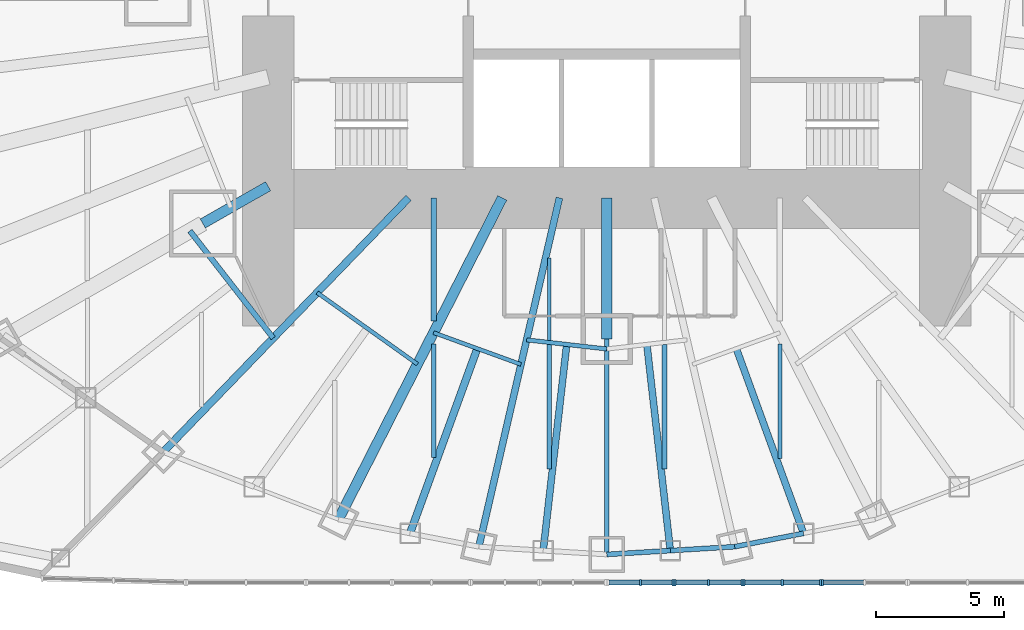
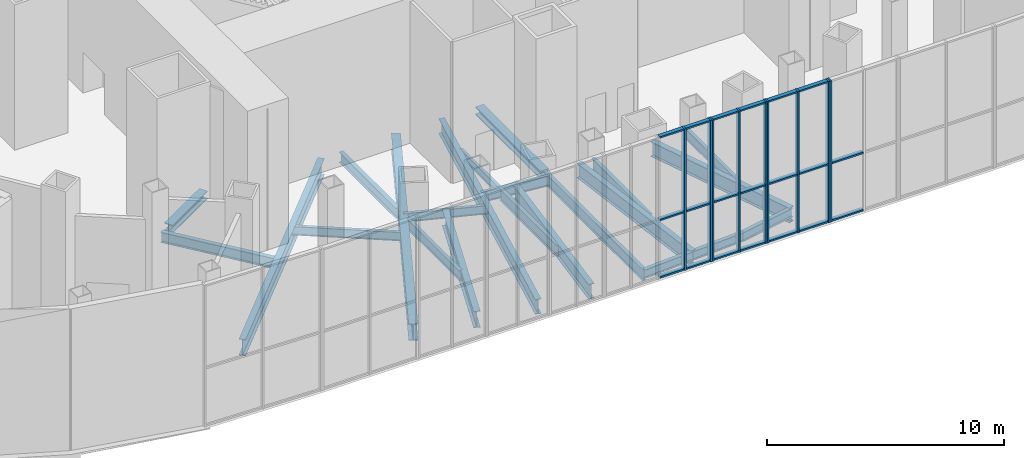
# One storey, part 4 of 73: 29 members, 23 beams, 4 elements without a shape of their own.
"""IFC4 building model written with IfcOpenShell, lengths in metres."""

from ifc_helpers import new_model, si_unit, direction, frame, origin, origin_2d, place, context, subcontext, project, spatial, rectangle, i_section, extrude, material, material_profile, profile_set, type_object, element, aggregate, save


model = new_model("IFC4")

# Units and contexts
model_context = context("Model", 3, precision=1e-05, world=origin(), true_north=direction((0.0, 1.0)))
body_context = subcontext(model_context, "Body", "Model", "MODEL_VIEW")
ifc_project = project(units=[si_unit("LENGTHUNIT", "METRE"), si_unit("AREAUNIT", "SQUARE_METRE"), si_unit("VOLUMEUNIT", "CUBIC_METRE"), si_unit("PLANEANGLEUNIT", "RADIAN"), si_unit("MASSUNIT", "GRAM", prefix="KILO")], contexts=[model_context])

# Site, building, storey
site_placement = place(None, origin())
site = spatial("IfcSite", under=ifc_project, at=site_placement, CompositionType="ELEMENT")
building_placement = place(site_placement, origin())
building = spatial("IfcBuilding", under=site, at=building_placement, Name="Lantaw Convention Tower", CompositionType="ELEMENT")
storey_placement = place(building_placement, frame((0.0, 0.0, 14.5)))
storey = spatial("IfcBuildingStorey", under=building, at=storey_placement, Name="L02", CompositionType="ELEMENT", Elevation=14.5)

# Beams
ifc_material_1 = material(Name="Steel ASTM A992", Category="steel")
ifc_material_profile_1 = material_profile(ifc_material_1, i_section(OverallWidth=0.1904296875, OverallDepth=0.457275390625, WebThickness=0.009033203125, FlangeThickness=0.014404296875, FilletRadius=0.01025390625, at=origin_2d()), Name="W18X50")
ifc_profile_set_1 = profile_set([ifc_material_profile_1], Name="Steel ASTM A992")
beam_type_1 = type_object("IfcBeamType", Name="Beam E W18X50", PredefinedType="SPANDREL", material=ifc_profile_set_1)
beam_1_placement = place(storey_placement, frame((0.0, -21.89990234375, -0.4287109375), z_axis=(0.998175328335, 0.060382231685, 0.0), x_axis=(-0.060382231685, 0.998175328335, 0.0)))
element("IfcBeam", 1, at=beam_1_placement, inside=storey, type_object=beam_type_1, Name="Edge beam 19", PredefinedType="SPANDREL", context=body_context, shape_type="SweptSolid", body=[
    extrude(i_section(OverallWidth=0.1904296875, OverallDepth=0.457275390625, WebThickness=0.009033203125, FlangeThickness=0.014404296875, FilletRadius=0.01025390625, at=origin_2d()), origin(), (0.0, 0.0, 1.0), 2.482666015625),
])
beam_2_placement = place(storey_placement, frame((2.47802734375, -21.75, -0.4287109375), z_axis=(0.998172405641, 0.060430527186, 0.0), x_axis=(-0.060430527186, 0.998172405641, 0.0)))
element("IfcBeam", 2, at=beam_2_placement, inside=storey, type_object=beam_type_1, Name="Edge beam 19", PredefinedType="SPANDREL", context=body_context, shape_type="SweptSolid", body=[
    extrude(i_section(OverallWidth=0.1904296875, OverallDepth=0.457275390625, WebThickness=0.009033203125, FlangeThickness=0.014404296875, FilletRadius=0.01025390625, at=origin_2d()), origin(), (0.0, 0.0, 1.0), 2.512939453125),
])
beam_3_placement = place(storey_placement, frame((4.986328125, -21.59814453125, -0.4287109375), z_axis=(0.981637218105, 0.190757364289, 0.0), x_axis=(-0.190757364289, 0.981637218105, 0.0)))
element("IfcBeam", 3, at=beam_3_placement, inside=storey, type_object=beam_type_1, Name="Edge beam 20", PredefinedType="SPANDREL", context=body_context, shape_type="SweptSolid", body=[
    extrude(i_section(OverallWidth=0.1904296875, OverallDepth=0.457275390625, WebThickness=0.009033203125, FlangeThickness=0.014404296875, FilletRadius=0.01025390625, at=origin_2d()), origin(), (0.0, 0.0, 1.0), 2.735107421875),
])
ifc_material_profile_2 = material_profile(ifc_material_1, i_section(OverallWidth=0.177978515625, OverallDepth=0.599365234375, WebThickness=0.010009765625, FlangeThickness=0.012939453125, FilletRadius=0.012939453125, at=origin_2d()), Name="W24X55")
ifc_profile_set_2 = profile_set([ifc_material_profile_2], Name="Steel ASTM A992")
beam_type_2 = type_object("IfcBeamType", Name="Beam G W24X55", PredefinedType="BEAM", material=ifc_profile_set_2)
beam_4_placement = place(storey_placement, frame((0.0, -13.5, -0.499755859375), z_axis=(0.0, -1.0, 0.0), x_axis=(1.0, 0.0, 0.0)))
element("IfcBeam", 4, at=beam_4_placement, inside=storey, type_object=beam_type_2, Name="Floor girder on ray 19", PredefinedType="BEAM", context=body_context, shape_type="SweptSolid", body=[
    extrude(i_section(OverallWidth=0.177978515625, OverallDepth=0.599365234375, WebThickness=0.010009765625, FlangeThickness=0.012939453125, FilletRadius=0.012939453125, at=origin_2d()), origin(), (0.0, 0.0, 1.0), 8.39990234375),
])
ifc_material_profile_3 = material_profile(ifc_material_1, i_section(OverallWidth=0.2666015625, OverallDepth=0.7568359375, WebThickness=0.013916015625, FlangeThickness=0.019287109375, FilletRadius=0.0126953125, at=origin_2d()), Name="W30X108")
ifc_profile_set_3 = profile_set([ifc_material_profile_3], Name="Steel ASTM A992")
beam_type_3 = type_object("IfcBeamType", Name="Beam G W30X108", PredefinedType="BEAM", material=ifc_profile_set_3)
beam_5_placement = place(storey_placement, frame((1.5625, -13.713134765625, -0.578369140625), z_axis=(0.113183957156, -0.993574049501, 0.0), x_axis=(0.993574049501, 0.113183957156, 0.0)))
element("IfcBeam", 5, at=beam_5_placement, inside=storey, type_object=beam_type_3, Name="Floor girder on bisector 19", PredefinedType="BEAM", context=body_context, shape_type="SweptSolid", body=[
    extrude(i_section(OverallWidth=0.2666015625, OverallDepth=0.7568359375, WebThickness=0.013916015625, FlangeThickness=0.019287109375, FilletRadius=0.0126953125, at=origin_2d()), origin(), (0.0, 0.0, 1.0), 8.0888671875),
])
ifc_material_profile_4 = material_profile(ifc_material_1, i_section(OverallWidth=0.2666015625, OverallDepth=0.76953125, WebThickness=0.015625, FlangeThickness=0.025390625, FilletRadius=0.0126953125, at=origin_2d()), Name="W30X132")
ifc_profile_set_4 = profile_set([ifc_material_profile_4], Name="Steel ASTM A992")
beam_type_4 = type_object("IfcBeamType", Name="Beam G W30X132", PredefinedType="BEAM", material=ifc_profile_set_4)
beam_6_placement = place(storey_placement, frame((-1.846923828125, -8.0, -0.584716796875), z_axis=(-0.224952773175, -0.97436966796, 0.0), x_axis=(0.97436966796, -0.224952773175, 0.0)))
element("IfcBeam", 6, at=beam_6_placement, inside=storey, type_object=beam_type_4, Name="Floor girder on ray 18", PredefinedType="BEAM", context=body_context, shape_type="SweptSolid", body=[
    extrude(i_section(OverallWidth=0.2666015625, OverallDepth=0.76953125, WebThickness=0.015625, FlangeThickness=0.025390625, FilletRadius=0.0126953125, at=origin_2d()), origin(), (0.0, 0.0, 1.0), 13.955810546875),
])
beam_7_placement = place(storey_placement, frame((-1.5625, -13.713134765625, -0.584716796875), z_axis=(-0.113183957156, -0.993574049501, 0.0), x_axis=(0.993574049501, -0.113183957156, 0.0)))
element("IfcBeam", 7, at=beam_7_placement, inside=storey, type_object=beam_type_4, Name="Floor girder on bisector 18", PredefinedType="BEAM", context=body_context, shape_type="SweptSolid", body=[
    extrude(i_section(OverallWidth=0.2666015625, OverallDepth=0.76953125, WebThickness=0.015625, FlangeThickness=0.025390625, FilletRadius=0.0126953125, at=origin_2d()), origin(), (0.0, 0.0, 1.0), 8.0888671875),
])
beam_8_placement = place(storey_placement, frame((5.04931640625, -13.873046875, -0.584716796875), z_axis=(0.342021781151, -0.939692024664, 0.0), x_axis=(0.939692024664, 0.342021781151, 0.0)))
element("IfcBeam", 8, at=beam_8_placement, inside=storey, type_object=beam_type_4, Name="Floor girder on bisector 20", PredefinedType="BEAM", context=body_context, shape_type="SweptSolid", body=[
    extrude(i_section(OverallWidth=0.2666015625, OverallDepth=0.76953125, WebThickness=0.015625, FlangeThickness=0.025390625, FilletRadius=0.0126953125, at=origin_2d()), origin(), (0.0, 0.0, 1.0), 7.665771484375),
])
ifc_material_profile_5 = material_profile(ifc_material_1, i_section(OverallWidth=0.2919921875, OverallDepth=0.845703125, WebThickness=0.015380859375, FlangeThickness=0.0244140625, FilletRadius=0.01513671875, at=origin_2d()), Name="W33X141")
ifc_profile_set_5 = profile_set([ifc_material_profile_5], Name="Steel ASTM A992")
beam_type_5 = type_object("IfcBeamType", Name="Beam G W33X141", PredefinedType="BEAM", material=ifc_profile_set_5)
beam_9_placement = place(storey_placement, frame((-7.7255859375, -8.0, -0.622802734375), z_axis=(-0.694649884291, -0.719347995239, 0.0), x_axis=(0.719347995239, -0.694649884291, 0.0)))
element("IfcBeam", 9, at=beam_9_placement, inside=storey, type_object=beam_type_5, Name="Floor girder on ray 16", PredefinedType="BEAM", context=body_context, shape_type="SweptSolid", body=[
    extrude(i_section(OverallWidth=0.2919921875, OverallDepth=0.845703125, WebThickness=0.015380859375, FlangeThickness=0.0244140625, FilletRadius=0.01513671875, at=origin_2d()), origin(), (0.0, 0.0, 1.0), 13.769775390625),
])
beam_10_placement = place(storey_placement, frame((-5.04931640625, -13.873046875, -0.622802734375), z_axis=(-0.342021781151, -0.939692024664, 0.0), x_axis=(0.939692024664, -0.342021781151, 0.0)))
element("IfcBeam", 10, at=beam_10_placement, inside=storey, type_object=beam_type_5, Name="Floor girder on bisector 17", PredefinedType="BEAM", context=body_context, shape_type="SweptSolid", body=[
    extrude(i_section(OverallWidth=0.2919921875, OverallDepth=0.845703125, WebThickness=0.015380859375, FlangeThickness=0.0244140625, FilletRadius=0.01513671875, at=origin_2d()), origin(), (0.0, 0.0, 1.0), 7.665771484375),
])
ifc_material_profile_6 = material_profile(ifc_material_1, i_section(OverallWidth=0.398681640625, OverallDepth=0.85595703125, WebThickness=0.01806640625, FlangeThickness=0.029296875, FilletRadius=0.016357421875, at=origin_2d()), Name="W33X201")
ifc_profile_set_6 = profile_set([ifc_material_profile_6], Name="Steel ASTM A992")
beam_type_6 = type_object("IfcBeamType", Name="Beam G W33X201", PredefinedType="BEAM", material=ifc_profile_set_6)
beam_11_placement = place(storey_placement, frame((-4.076171875, -8.0, -0.6279296875), z_axis=(-0.453997016122, -0.891003203896, 0.0), x_axis=(0.891003203896, -0.453997016122, 0.0)))
element("IfcBeam", 11, at=beam_11_placement, inside=storey, type_object=beam_type_6, Name="Floor girder on ray 17", PredefinedType="BEAM", context=body_context, shape_type="SweptSolid", body=[
    extrude(i_section(OverallWidth=0.398681640625, OverallDepth=0.85595703125, WebThickness=0.01806640625, FlangeThickness=0.029296875, FilletRadius=0.016357421875, at=origin_2d()), origin(), (0.0, 0.0, 1.0), 14.067138671875),
])
ifc_material_profile_7 = material_profile(ifc_material_1, i_section(OverallWidth=0.40380859375, OverallDepth=0.406494140625, WebThickness=0.027099609375, FlangeThickness=0.043701171875, FilletRadius=0.01513671875, at=origin_2d()), Name="W14X233")
ifc_profile_set_7 = profile_set([ifc_material_profile_7], Name="Steel ASTM A992")
beam_type_7 = type_object("IfcBeamType", Name="Beam GM W14X233", PredefinedType="BEAM", material=ifc_profile_set_7)
beam_12_placement = place(storey_placement, frame((-13.199951171875, -7.54296875, -0.4033203125), z_axis=(-0.868263603466, -0.496103129295, 0.0), x_axis=(0.496103129295, -0.868263603466, 0.0)))
element("IfcBeam", 12, at=beam_12_placement, inside=storey, type_object=beam_type_7, Name="Core link beam on ray 15", PredefinedType="BEAM", context=body_context, shape_type="SweptSolid", body=[
    extrude(i_section(OverallWidth=0.40380859375, OverallDepth=0.406494140625, WebThickness=0.027099609375, FlangeThickness=0.043701171875, FilletRadius=0.01513671875, at=origin_2d()), origin(), (0.0, 0.0, 1.0), 2.93701171875),
])
beam_13_placement = place(storey_placement, frame((0.0, -8.0, -0.4033203125), z_axis=(0.0, -1.0, 0.0), x_axis=(1.0, 0.0, 0.0)))
element("IfcBeam", 13, at=beam_13_placement, inside=storey, type_object=beam_type_7, Name="Core link beam on ray 19", PredefinedType="BEAM", context=body_context, shape_type="SweptSolid", body=[
    extrude(i_section(OverallWidth=0.40380859375, OverallDepth=0.406494140625, WebThickness=0.027099609375, FlangeThickness=0.043701171875, FilletRadius=0.01513671875, at=origin_2d()), origin(), (0.0, 0.0, 1.0), 5.5),
])
ifc_material_profile_8 = material_profile(ifc_material_1, i_section(OverallWidth=0.15234375, OverallDepth=0.449462890625, WebThickness=0.007568359375, FlangeThickness=0.0107421875, FilletRadius=0.01025390625, at=origin_2d()), Name="W18X35")
ifc_profile_set_8 = profile_set([ifc_material_profile_8], Name="Steel ASTM A992")
beam_type_8 = type_object("IfcBeamType", Name="Beam HC W18X35", PredefinedType="BEAM", material=ifc_profile_set_8)
beam_14_placement = place(storey_placement, frame((-11.291748046875, -11.69287109375, -0.4248046875), z_axis=(0.814110909588, -0.580709416912, 0.0), x_axis=(0.580709416912, 0.814110909588, 0.0)))
element("IfcBeam", 14, at=beam_14_placement, inside=storey, type_object=beam_type_8, Name="Collar beam on bisector 16", PredefinedType="BEAM", context=body_context, shape_type="SweptSolid", body=[
    extrude(i_section(OverallWidth=0.15234375, OverallDepth=0.449462890625, WebThickness=0.007568359375, FlangeThickness=0.0107421875, FilletRadius=0.01025390625, at=origin_2d()), origin(), (0.0, 0.0, 1.0), 4.805419921875),
])
beam_15_placement = place(storey_placement, frame((-6.752685546875, -13.253173828125, -0.4248046875), z_axis=(0.939689171859, -0.342029619025, 0.0), x_axis=(0.342029619025, 0.939689171859, 0.0)))
element("IfcBeam", 15, at=beam_15_placement, inside=storey, type_object=beam_type_8, Name="Collar beam on bisector 17", PredefinedType="BEAM", context=body_context, shape_type="SweptSolid", body=[
    extrude(i_section(OverallWidth=0.15234375, OverallDepth=0.449462890625, WebThickness=0.007568359375, FlangeThickness=0.0107421875, FilletRadius=0.01025390625, at=origin_2d()), origin(), (0.0, 0.0, 1.0), 3.62548828125),
])
ifc_material_profile_9 = material_profile(ifc_material_1, i_section(OverallWidth=0.165771484375, OverallDepth=0.5283203125, WebThickness=0.009765625, FlangeThickness=0.013671875, FilletRadius=0.012939453125, at=origin_2d()), Name="W21X50")
ifc_profile_set_9 = profile_set([ifc_material_profile_9], Name="Steel ASTM A992")
beam_type_9 = type_object("IfcBeamType", Name="Beam HC W21X50", PredefinedType="BEAM", material=ifc_profile_set_9)
beam_16_placement = place(storey_placement, frame((-3.124755859375, -13.534912109375, -0.464111328125), z_axis=(0.99356540907, -0.113259780595, 0.0), x_axis=(0.113259780595, 0.99356540907, 0.0)))
element("IfcBeam", 16, at=beam_16_placement, inside=storey, type_object=beam_type_9, Name="Collar beam on bisector 18", PredefinedType="BEAM", context=body_context, shape_type="SweptSolid", body=[
    extrude(i_section(OverallWidth=0.165771484375, OverallDepth=0.5283203125, WebThickness=0.009765625, FlangeThickness=0.013671875, FilletRadius=0.012939453125, at=origin_2d()), origin(), (0.0, 0.0, 1.0), 3.14501953125),
])
ifc_material_profile_10 = material_profile(ifc_material_1, i_section(OverallWidth=0.2099609375, OverallDepth=0.535888671875, WebThickness=0.010986328125, FlangeThickness=0.017333984375, FilletRadius=0.012939453125, at=origin_2d()), Name="W21X68")
ifc_profile_set_10 = profile_set([ifc_material_profile_10], Name="Steel ASTM A992")
beam_type_10 = type_object("IfcBeamType", Name="Beam HC W21X68", PredefinedType="BEAM", material=ifc_profile_set_10)
beam_17_placement = place(storey_placement, frame((-16.2529296875, -9.287353515625, -0.468017578125), z_axis=(0.613915067401, -0.789372085913, 0.0), x_axis=(0.789372085913, 0.613915067401, 0.0)))
element("IfcBeam", 17, at=beam_17_placement, inside=storey, type_object=beam_type_10, Name="Collar beam on bisector 15", PredefinedType="BEAM", context=body_context, shape_type="SweptSolid", body=[
    extrude(i_section(OverallWidth=0.2099609375, OverallDepth=0.535888671875, WebThickness=0.010986328125, FlangeThickness=0.017333984375, FilletRadius=0.012939453125, at=origin_2d()), origin(), (0.0, 0.0, 1.0), 5.293212890625),
])
ifc_material_profile_11 = material_profile(ifc_material_1, i_section(OverallWidth=0.140380859375, OverallDepth=0.40380859375, WebThickness=0.007080078125, FlangeThickness=0.01123046875, FilletRadius=0.01025390625, at=origin_2d()), Name="W16X31")
ifc_profile_set_11 = profile_set([ifc_material_profile_11], Name="Steel ASTM A992")
beam_type_11 = type_object("IfcBeamType", Name="Beam J W16X31", PredefinedType="JOIST", material=ifc_profile_set_11)
beam_18_placement = place(storey_placement, frame((-2.25, -13.55126953125, -0.40185546875), z_axis=(0.0, 1.0, 0.0), x_axis=(-1.0, 0.0, 0.0)))
element("IfcBeam", 18, at=beam_18_placement, inside=storey, type_object=beam_type_11, Name="Floor joist", PredefinedType="JOIST", context=body_context, shape_type="SweptSolid", body=[
    extrude(i_section(OverallWidth=0.140380859375, OverallDepth=0.40380859375, WebThickness=0.007080078125, FlangeThickness=0.01123046875, FilletRadius=0.01025390625, at=origin_2d()), origin(), (0.0, 0.0, 1.0), 3.212646484375),
])
ifc_material_profile_12 = material_profile(ifc_material_1, i_section(OverallWidth=0.1650390625, OverallDepth=0.52587890625, WebThickness=0.0087890625, FlangeThickness=0.011474609375, FilletRadius=0.0126953125, at=origin_2d()), Name="W21X44")
ifc_profile_set_12 = profile_set([ifc_material_profile_12], Name="Steel ASTM A992")
beam_type_12 = type_object("IfcBeamType", Name="Beam J W21X44", PredefinedType="JOIST", material=ifc_profile_set_12)
beam_19_placement = place(storey_placement, frame((-6.75, -18.118408203125, -0.462890625), z_axis=(0.0, 1.0, 0.0), x_axis=(-1.0, 0.0, 0.0)))
element("IfcBeam", 19, at=beam_19_placement, inside=storey, type_object=beam_type_12, Name="Floor joist", PredefinedType="JOIST", context=body_context, shape_type="SweptSolid", body=[
    extrude(i_section(OverallWidth=0.1650390625, OverallDepth=0.52587890625, WebThickness=0.0087890625, FlangeThickness=0.011474609375, FilletRadius=0.0126953125, at=origin_2d()), origin(), (0.0, 0.0, 1.0), 4.425048828125),
])
beam_20_placement = place(storey_placement, frame((6.75, -18.155517578125, -0.462890625), z_axis=(0.0, 1.0, 0.0), x_axis=(-1.0, 0.0, 0.0)))
element("IfcBeam", 20, at=beam_20_placement, inside=storey, type_object=beam_type_12, Name="Floor joist", PredefinedType="JOIST", context=body_context, shape_type="SweptSolid", body=[
    extrude(i_section(OverallWidth=0.1650390625, OverallDepth=0.52587890625, WebThickness=0.0087890625, FlangeThickness=0.011474609375, FilletRadius=0.0126953125, at=origin_2d()), origin(), (0.0, 0.0, 1.0), 4.462158203125),
])
ifc_material_profile_13 = material_profile(ifc_material_1, i_section(OverallWidth=0.2099609375, OverallDepth=0.535888671875, WebThickness=0.010986328125, FlangeThickness=0.017333984375, FilletRadius=0.012939453125, at=origin_2d()), Name="W21X68")
ifc_profile_set_13 = profile_set([ifc_material_profile_13], Name="Steel ASTM A992")
beam_type_13 = type_object("IfcBeamType", Name="Beam J W21X68", PredefinedType="JOIST", material=ifc_profile_set_13)
beam_21_placement = place(storey_placement, frame((-6.75, -12.808349609375, -0.468017578125), z_axis=(0.0, 1.0, 0.0), x_axis=(-1.0, 0.0, 0.0)))
element("IfcBeam", 21, at=beam_21_placement, inside=storey, type_object=beam_type_13, Name="Floor joist", PredefinedType="JOIST", context=body_context, shape_type="SweptSolid", body=[
    extrude(i_section(OverallWidth=0.2099609375, OverallDepth=0.535888671875, WebThickness=0.010986328125, FlangeThickness=0.017333984375, FilletRadius=0.012939453125, at=origin_2d()), origin(), (0.0, 0.0, 1.0), 4.808349609375),
])
ifc_material_profile_14 = material_profile(ifc_material_1, i_section(OverallWidth=0.177978515625, OverallDepth=0.599365234375, WebThickness=0.010009765625, FlangeThickness=0.012939453125, FilletRadius=0.012939453125, at=origin_2d()), Name="W24X55")
ifc_profile_set_14 = profile_set([ifc_material_profile_14], Name="Steel ASTM A992")
beam_type_14 = type_object("IfcBeamType", Name="Beam J W24X55", PredefinedType="JOIST", material=ifc_profile_set_14)
for number, where, z_axis, x_axis, name in (
    (22, (-2.25, -18.570068359375, -0.499755859375), (0.0, 1.0, 0.0), (-1.0, 0.0, 0.0), "Floor joist"),
    (23, (2.25, -18.570068359375, -0.499755859375), (0.0, 1.0, 0.0), (-1.0, 0.0, 0.0), "Floor joist"),
):
    element("IfcBeam", number, at=place(storey_placement, frame(where, z_axis=z_axis, x_axis=x_axis)), inside=storey, type_object=beam_type_14, Name=name, PredefinedType="JOIST", context=body_context, shape_type="SweptSolid", body=[
        extrude(i_section(OverallWidth=0.177978515625, OverallDepth=0.599365234375, WebThickness=0.010009765625, FlangeThickness=0.012939453125, FilletRadius=0.012939453125, at=origin_2d()), origin(), (0.0, 0.0, 1.0), 4.851806640625),
    ])

# Curtain wall, members
ifc_material_2 = material(Name="Aluminium framed curtain wall", Category="aluminium")
curtain_wall_type = type_object("IfcCurtainWallType", Name="Podium storefront curtain wall, pale aluminium", PredefinedType="USERDEFINED", material=ifc_material_2)
curtain_wall_1_placement = place(storey_placement, origin())
curtain_wall_1 = element("IfcCurtainWall", 24, at=curtain_wall_1_placement, inside=storey, type_object=curtain_wall_type, Name="Podium storefront curtain wall, pale aluminium L02", ObjectType="STOREFRONT", PredefinedType="USERDEFINED")
ifc_material_3 = material(Name="Aluminium 6063-T6", Category="aluminium")
ifc_material_profile_15 = material_profile(ifc_material_3, rectangle(XDim=0.25, YDim=0.080078125, at=origin_2d()), Name="CW-P mullion 80x250")
ifc_profile_set_15 = profile_set([ifc_material_profile_15], Name="Aluminium 6063-T6")
member_type_1 = type_object("IfcMemberType", Name="CW-P mullion 80x250", PredefinedType="MULLION", material=ifc_profile_set_15)
member_1_placement = place(storey_placement, frame((1.310302734375, -23.0, 0.0), z_axis=(0.0, 0.0, 1.0), x_axis=(0.0, 1.0, 0.0)))
member_1 = element("IfcMember", 25, at=member_1_placement, type_object=member_type_1, Name="CW-P mullion 2", PredefinedType="MULLION", context=body_context, shape_type="SweptSolid", body=[
    extrude(rectangle(XDim=0.25, YDim=0.080078125, at=origin_2d()), origin(), (0.0, 0.0, 1.0), 7.300048828125),
])
member_2_placement = place(storey_placement, frame((2.58056640625, -23.0, 0.0), z_axis=(0.0, 0.0, 1.0), x_axis=(0.0, 1.0, 0.0)))
member_2 = element("IfcMember", 26, at=member_2_placement, type_object=member_type_1, Name="CW-P mullion 3", PredefinedType="MULLION", context=body_context, shape_type="SweptSolid", body=[
    extrude(rectangle(XDim=0.25, YDim=0.080078125, at=origin_2d()), origin(), (0.0, 0.0, 1.0), 7.300048828125),
])

curtain_wall_2_placement = place(storey_placement, origin())
curtain_wall_2 = element("IfcCurtainWall", 27, at=curtain_wall_2_placement, inside=storey, type_object=curtain_wall_type, Name="Podium storefront curtain wall, pale aluminium L02", ObjectType="STOREFRONT", PredefinedType="USERDEFINED")
member_3_placement = place(storey_placement, frame((2.660400390625, -23.0, 0.0), z_axis=(0.0, 0.0, 1.0), x_axis=(0.0, 1.0, 0.0)))
member_3 = element("IfcMember", 28, at=member_3_placement, type_object=member_type_1, Name="CW-P mullion 1", PredefinedType="MULLION", context=body_context, shape_type="SweptSolid", body=[
    extrude(rectangle(XDim=0.25, YDim=0.080078125, at=origin_2d()), origin(), (0.0, 0.0, 1.0), 7.300048828125),
])
member_4_placement = place(storey_placement, frame((3.96533203125, -23.0, 0.0), z_axis=(0.0, 0.0, 1.0), x_axis=(0.0, 1.0, 0.0)))
member_4 = element("IfcMember", 29, at=member_4_placement, type_object=member_type_1, Name="CW-P mullion 2", PredefinedType="MULLION", context=body_context, shape_type="SweptSolid", body=[
    extrude(rectangle(XDim=0.25, YDim=0.080078125, at=origin_2d()), origin(), (0.0, 0.0, 1.0), 7.300048828125),
])
member_5_placement = place(storey_placement, frame((5.27001953125, -23.0, 0.0), z_axis=(0.0, 0.0, 1.0), x_axis=(0.0, 1.0, 0.0)))
member_5 = element("IfcMember", 30, at=member_5_placement, type_object=member_type_1, Name="CW-P mullion 3", PredefinedType="MULLION", context=body_context, shape_type="SweptSolid", body=[
    extrude(rectangle(XDim=0.25, YDim=0.080078125, at=origin_2d()), origin(), (0.0, 0.0, 1.0), 7.300048828125),
])

curtain_wall_3_placement = place(storey_placement, origin())
curtain_wall_3 = element("IfcCurtainWall", 31, at=curtain_wall_3_placement, inside=storey, type_object=curtain_wall_type, Name="Podium storefront curtain wall, pale aluminium L02", ObjectType="STOREFRONT", PredefinedType="USERDEFINED")
member_6_placement = place(storey_placement, frame((5.349853515625, -23.0, 0.0), z_axis=(0.0, 0.0, 1.0), x_axis=(0.0, 1.0, 0.0)))
member_6 = element("IfcMember", 32, at=member_6_placement, type_object=member_type_1, Name="CW-P mullion 1", PredefinedType="MULLION", context=body_context, shape_type="SweptSolid", body=[
    extrude(rectangle(XDim=0.25, YDim=0.080078125, at=origin_2d()), origin(), (0.0, 0.0, 1.0), 7.300048828125),
])
member_7_placement = place(storey_placement, frame((6.840576171875, -23.0, 0.0), z_axis=(0.0, 0.0, 1.0), x_axis=(0.0, 1.0, 0.0)))
member_7 = element("IfcMember", 33, at=member_7_placement, type_object=member_type_1, Name="CW-P mullion 2", PredefinedType="MULLION", context=body_context, shape_type="SweptSolid", body=[
    extrude(rectangle(XDim=0.25, YDim=0.080078125, at=origin_2d()), origin(), (0.0, 0.0, 1.0), 7.300048828125),
])
member_8_placement = place(storey_placement, frame((8.331298828125, -23.0, 0.0), z_axis=(0.0, 0.0, 1.0), x_axis=(0.0, 1.0, 0.0)))
member_8 = element("IfcMember", 34, at=member_8_placement, type_object=member_type_1, Name="CW-P mullion 3", PredefinedType="MULLION", context=body_context, shape_type="SweptSolid", body=[
    extrude(rectangle(XDim=0.25, YDim=0.080078125, at=origin_2d()), origin(), (0.0, 0.0, 1.0), 7.300048828125),
])

# Curtain wall, member
curtain_wall_4_placement = place(storey_placement, origin())
curtain_wall_4 = element("IfcCurtainWall", 35, at=curtain_wall_4_placement, inside=storey, type_object=curtain_wall_type, Name="Podium storefront curtain wall, pale aluminium L02", ObjectType="STOREFRONT", PredefinedType="USERDEFINED")
member_9_placement = place(storey_placement, frame((8.411376953125, -23.0, 0.0), z_axis=(0.0, 0.0, 1.0), x_axis=(0.0, 1.0, 0.0)))
member_9 = element("IfcMember", 36, at=member_9_placement, type_object=member_type_1, Name="CW-P mullion 1", PredefinedType="MULLION", context=body_context, shape_type="SweptSolid", body=[
    extrude(rectangle(XDim=0.25, YDim=0.080078125, at=origin_2d()), origin(), (0.0, 0.0, 1.0), 7.300048828125),
])

# Member
ifc_material_profile_16 = material_profile(ifc_material_3, rectangle(XDim=0.199951171875, YDim=0.080078125, at=origin_2d()), Name="CW-P transom 80x200")
ifc_profile_set_16 = profile_set([ifc_material_profile_16], Name="Aluminium 6063-T6")
member_type_2 = type_object("IfcMemberType", Name="CW-P transom 80x200", PredefinedType="USERDEFINED", material=ifc_profile_set_16)
member_10_placement = place(storey_placement, frame((0.080078125, -23.0, 0.0400390625), z_axis=(1.0, 0.0, 0.0), x_axis=(0.0, 1.0, 0.0)))
member_10 = element("IfcMember", 37, at=member_10_placement, type_object=member_type_2, Name="CW-P transom 1.1", ObjectType="TRANSOM", PredefinedType="USERDEFINED", context=body_context, shape_type="SweptSolid", body=[
    extrude(rectangle(XDim=0.199951171875, YDim=0.080078125, at=origin_2d()), origin(), (0.0, 0.0, 1.0), 1.190185546875),
])

member_11_placement = place(storey_placement, frame((0.080078125, -23.0, 3.0), z_axis=(1.0, 0.0, 0.0), x_axis=(0.0, 1.0, 0.0)))
member_11 = element("IfcMember", 38, at=member_11_placement, type_object=member_type_2, Name="CW-P transom 1.2", ObjectType="TRANSOM", PredefinedType="USERDEFINED", context=body_context, shape_type="SweptSolid", body=[
    extrude(rectangle(XDim=0.199951171875, YDim=0.080078125, at=origin_2d()), origin(), (0.0, 0.0, 1.0), 1.190185546875),
])

member_12_placement = place(storey_placement, frame((0.080078125, -23.0, 7.260009765625), z_axis=(1.0, 0.0, 0.0), x_axis=(0.0, 1.0, 0.0)))
member_12 = element("IfcMember", 39, at=member_12_placement, type_object=member_type_2, Name="CW-P transom 1.3", ObjectType="TRANSOM", PredefinedType="USERDEFINED", context=body_context, shape_type="SweptSolid", body=[
    extrude(rectangle(XDim=0.199951171875, YDim=0.080078125, at=origin_2d()), origin(), (0.0, 0.0, 1.0), 1.190185546875),
])

member_13_placement = place(storey_placement, frame((1.350341796875, -23.0, 0.0400390625), z_axis=(1.0, 0.0, 0.0), x_axis=(0.0, 1.0, 0.0)))
member_13 = element("IfcMember", 40, at=member_13_placement, type_object=member_type_2, Name="CW-P transom 2.1", ObjectType="TRANSOM", PredefinedType="USERDEFINED", context=body_context, shape_type="SweptSolid", body=[
    extrude(rectangle(XDim=0.199951171875, YDim=0.080078125, at=origin_2d()), origin(), (0.0, 0.0, 1.0), 1.190185546875),
])

member_14_placement = place(storey_placement, frame((1.350341796875, -23.0, 3.0), z_axis=(1.0, 0.0, 0.0), x_axis=(0.0, 1.0, 0.0)))
member_14 = element("IfcMember", 41, at=member_14_placement, type_object=member_type_2, Name="CW-P transom 2.2", ObjectType="TRANSOM", PredefinedType="USERDEFINED", context=body_context, shape_type="SweptSolid", body=[
    extrude(rectangle(XDim=0.199951171875, YDim=0.080078125, at=origin_2d()), origin(), (0.0, 0.0, 1.0), 1.190185546875),
])

member_15_placement = place(storey_placement, frame((1.350341796875, -23.0, 7.260009765625), z_axis=(1.0, 0.0, 0.0), x_axis=(0.0, 1.0, 0.0)))
member_15 = element("IfcMember", 42, at=member_15_placement, type_object=member_type_2, Name="CW-P transom 2.3", ObjectType="TRANSOM", PredefinedType="USERDEFINED", context=body_context, shape_type="SweptSolid", body=[
    extrude(rectangle(XDim=0.199951171875, YDim=0.080078125, at=origin_2d()), origin(), (0.0, 0.0, 1.0), 1.190185546875),
])

aggregate(curtain_wall_1, [member_1, member_2, member_10, member_11, member_12, member_13, member_14, member_15])

member_16_placement = place(storey_placement, frame((2.700439453125, -23.0, 0.0400390625), z_axis=(1.0, 0.0, 0.0), x_axis=(0.0, 1.0, 0.0)))
member_16 = element("IfcMember", 43, at=member_16_placement, type_object=member_type_2, Name="CW-P transom 1.1", ObjectType="TRANSOM", PredefinedType="USERDEFINED", context=body_context, shape_type="SweptSolid", body=[
    extrude(rectangle(XDim=0.199951171875, YDim=0.080078125, at=origin_2d()), origin(), (0.0, 0.0, 1.0), 1.224853515625),
])

member_17_placement = place(storey_placement, frame((2.700439453125, -23.0, 3.0), z_axis=(1.0, 0.0, 0.0), x_axis=(0.0, 1.0, 0.0)))
member_17 = element("IfcMember", 44, at=member_17_placement, type_object=member_type_2, Name="CW-P transom 1.2", ObjectType="TRANSOM", PredefinedType="USERDEFINED", context=body_context, shape_type="SweptSolid", body=[
    extrude(rectangle(XDim=0.199951171875, YDim=0.080078125, at=origin_2d()), origin(), (0.0, 0.0, 1.0), 1.224853515625),
])

member_18_placement = place(storey_placement, frame((2.700439453125, -23.0, 7.260009765625), z_axis=(1.0, 0.0, 0.0), x_axis=(0.0, 1.0, 0.0)))
member_18 = element("IfcMember", 45, at=member_18_placement, type_object=member_type_2, Name="CW-P transom 1.3", ObjectType="TRANSOM", PredefinedType="USERDEFINED", context=body_context, shape_type="SweptSolid", body=[
    extrude(rectangle(XDim=0.199951171875, YDim=0.080078125, at=origin_2d()), origin(), (0.0, 0.0, 1.0), 1.224853515625),
])

member_19_placement = place(storey_placement, frame((4.005126953125, -23.0, 0.0400390625), z_axis=(1.0, 0.0, 0.0), x_axis=(0.0, 1.0, 0.0)))
member_19 = element("IfcMember", 46, at=member_19_placement, type_object=member_type_2, Name="CW-P transom 2.1", ObjectType="TRANSOM", PredefinedType="USERDEFINED", context=body_context, shape_type="SweptSolid", body=[
    extrude(rectangle(XDim=0.199951171875, YDim=0.080078125, at=origin_2d()), origin(), (0.0, 0.0, 1.0), 1.224853515625),
])

member_20_placement = place(storey_placement, frame((4.005126953125, -23.0, 3.0), z_axis=(1.0, 0.0, 0.0), x_axis=(0.0, 1.0, 0.0)))
member_20 = element("IfcMember", 47, at=member_20_placement, type_object=member_type_2, Name="CW-P transom 2.2", ObjectType="TRANSOM", PredefinedType="USERDEFINED", context=body_context, shape_type="SweptSolid", body=[
    extrude(rectangle(XDim=0.199951171875, YDim=0.080078125, at=origin_2d()), origin(), (0.0, 0.0, 1.0), 1.224853515625),
])

member_21_placement = place(storey_placement, frame((4.005126953125, -23.0, 7.260009765625), z_axis=(1.0, 0.0, 0.0), x_axis=(0.0, 1.0, 0.0)))
member_21 = element("IfcMember", 48, at=member_21_placement, type_object=member_type_2, Name="CW-P transom 2.3", ObjectType="TRANSOM", PredefinedType="USERDEFINED", context=body_context, shape_type="SweptSolid", body=[
    extrude(rectangle(XDim=0.199951171875, YDim=0.080078125, at=origin_2d()), origin(), (0.0, 0.0, 1.0), 1.224853515625),
])

aggregate(curtain_wall_2, [member_3, member_4, member_5, member_16, member_17, member_18, member_19, member_20, member_21])

member_22_placement = place(storey_placement, frame((5.389892578125, -23.0, 0.0400390625), z_axis=(1.0, 0.0, 0.0), x_axis=(0.0, 1.0, 0.0)))
member_22 = element("IfcMember", 49, at=member_22_placement, type_object=member_type_2, Name="CW-P transom 1.1", ObjectType="TRANSOM", PredefinedType="USERDEFINED", context=body_context, shape_type="SweptSolid", body=[
    extrude(rectangle(XDim=0.199951171875, YDim=0.080078125, at=origin_2d()), origin(), (0.0, 0.0, 1.0), 1.41064453125),
])

member_23_placement = place(storey_placement, frame((5.389892578125, -23.0, 3.0), z_axis=(1.0, 0.0, 0.0), x_axis=(0.0, 1.0, 0.0)))
member_23 = element("IfcMember", 50, at=member_23_placement, type_object=member_type_2, Name="CW-P transom 1.2", ObjectType="TRANSOM", PredefinedType="USERDEFINED", context=body_context, shape_type="SweptSolid", body=[
    extrude(rectangle(XDim=0.199951171875, YDim=0.080078125, at=origin_2d()), origin(), (0.0, 0.0, 1.0), 1.41064453125),
])

member_24_placement = place(storey_placement, frame((5.389892578125, -23.0, 7.260009765625), z_axis=(1.0, 0.0, 0.0), x_axis=(0.0, 1.0, 0.0)))
member_24 = element("IfcMember", 51, at=member_24_placement, type_object=member_type_2, Name="CW-P transom 1.3", ObjectType="TRANSOM", PredefinedType="USERDEFINED", context=body_context, shape_type="SweptSolid", body=[
    extrude(rectangle(XDim=0.199951171875, YDim=0.080078125, at=origin_2d()), origin(), (0.0, 0.0, 1.0), 1.41064453125),
])

member_25_placement = place(storey_placement, frame((6.880615234375, -23.0, 0.0400390625), z_axis=(1.0, 0.0, 0.0), x_axis=(0.0, 1.0, 0.0)))
member_25 = element("IfcMember", 52, at=member_25_placement, type_object=member_type_2, Name="CW-P transom 2.1", ObjectType="TRANSOM", PredefinedType="USERDEFINED", context=body_context, shape_type="SweptSolid", body=[
    extrude(rectangle(XDim=0.199951171875, YDim=0.080078125, at=origin_2d()), origin(), (0.0, 0.0, 1.0), 1.41064453125),
])

member_26_placement = place(storey_placement, frame((6.880615234375, -23.0, 3.0), z_axis=(1.0, 0.0, 0.0), x_axis=(0.0, 1.0, 0.0)))
member_26 = element("IfcMember", 53, at=member_26_placement, type_object=member_type_2, Name="CW-P transom 2.2", ObjectType="TRANSOM", PredefinedType="USERDEFINED", context=body_context, shape_type="SweptSolid", body=[
    extrude(rectangle(XDim=0.199951171875, YDim=0.080078125, at=origin_2d()), origin(), (0.0, 0.0, 1.0), 1.41064453125),
])

member_27_placement = place(storey_placement, frame((6.880615234375, -23.0, 7.260009765625), z_axis=(1.0, 0.0, 0.0), x_axis=(0.0, 1.0, 0.0)))
member_27 = element("IfcMember", 54, at=member_27_placement, type_object=member_type_2, Name="CW-P transom 2.3", ObjectType="TRANSOM", PredefinedType="USERDEFINED", context=body_context, shape_type="SweptSolid", body=[
    extrude(rectangle(XDim=0.199951171875, YDim=0.080078125, at=origin_2d()), origin(), (0.0, 0.0, 1.0), 1.41064453125),
])

aggregate(curtain_wall_3, [member_6, member_7, member_8, member_22, member_23, member_24, member_25, member_26, member_27])

member_28_placement = place(storey_placement, frame((8.451416015625, -23.0, 0.0400390625), z_axis=(1.0, 0.0, 0.0), x_axis=(0.0, 1.0, 0.0)))
member_28 = element("IfcMember", 55, at=member_28_placement, type_object=member_type_2, Name="CW-P transom 1.1", ObjectType="TRANSOM", PredefinedType="USERDEFINED", context=body_context, shape_type="SweptSolid", body=[
    extrude(rectangle(XDim=0.199951171875, YDim=0.080078125, at=origin_2d()), origin(), (0.0, 0.0, 1.0), 1.5537109375),
])

member_29_placement = place(storey_placement, frame((8.451416015625, -23.0, 3.0), z_axis=(1.0, 0.0, 0.0), x_axis=(0.0, 1.0, 0.0)))
member_29 = element("IfcMember", 56, at=member_29_placement, type_object=member_type_2, Name="CW-P transom 1.2", ObjectType="TRANSOM", PredefinedType="USERDEFINED", context=body_context, shape_type="SweptSolid", body=[
    extrude(rectangle(XDim=0.199951171875, YDim=0.080078125, at=origin_2d()), origin(), (0.0, 0.0, 1.0), 1.5537109375),
])

aggregate(curtain_wall_4, [member_9, member_28, member_29])

save(model, "model.ifc")
